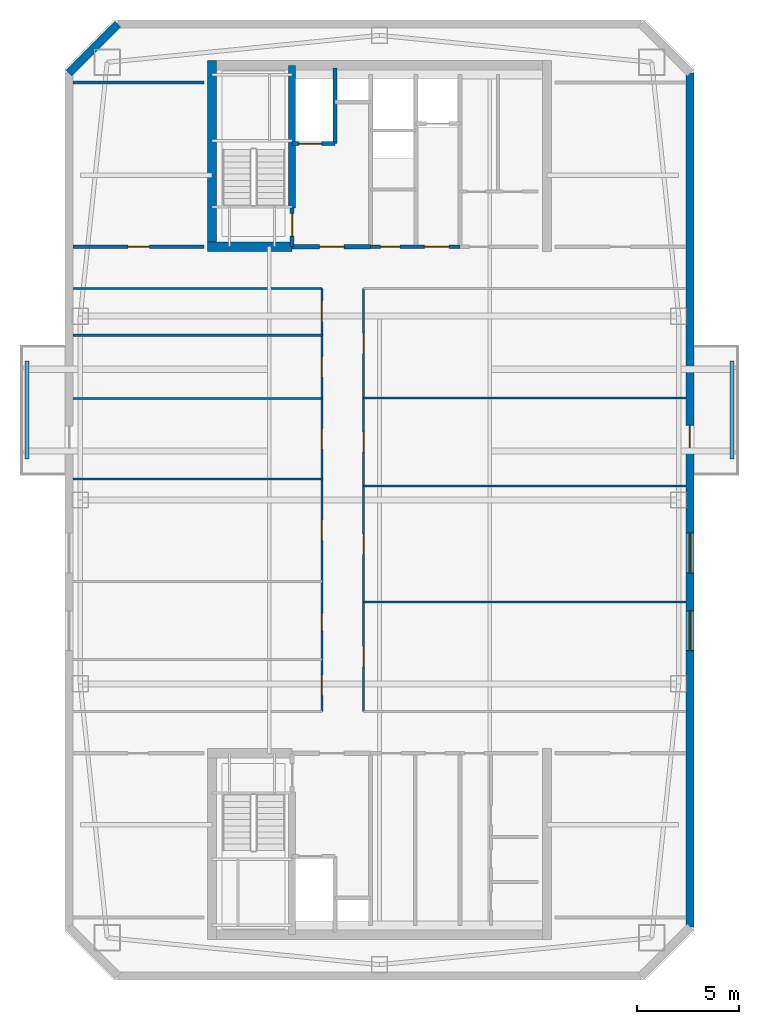
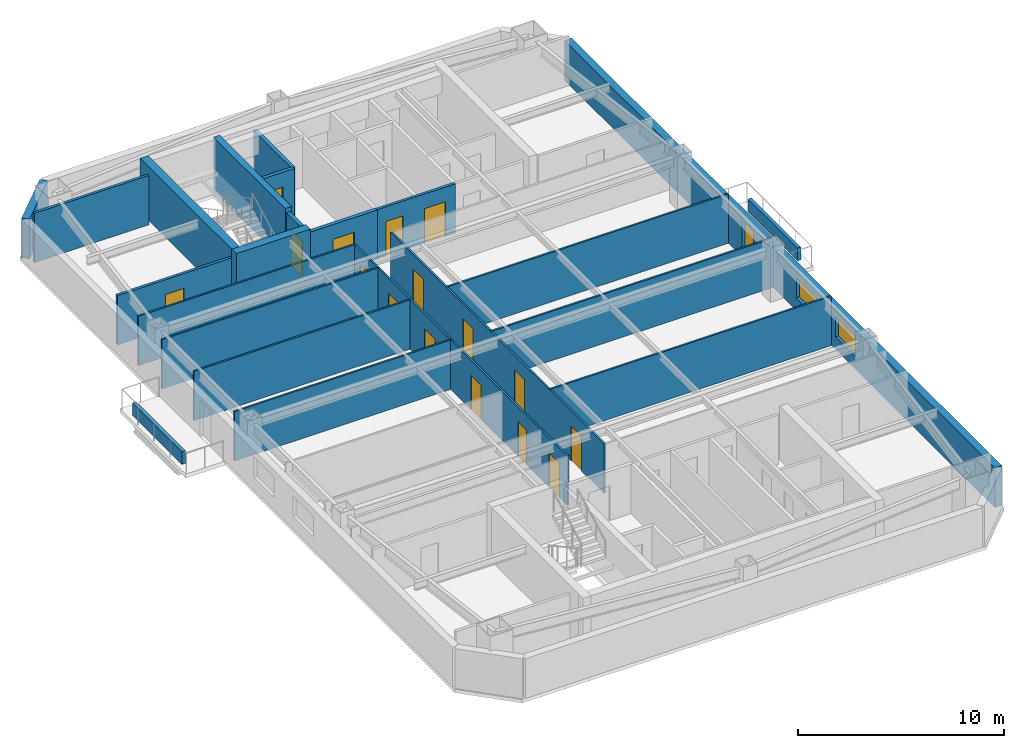
# One storey, part 3 of 6: 23 walls, 17 doors, 2 windows, 19 openings.
"""IFC4 building model written with IfcOpenShell, lengths in metres."""

from ifc_helpers import new_model, si_unit, direction, frame, frame_2d, origin, place, context, subcontext, project, spatial, rectangle, extrude, material, layer, layer_set, type_object, element, fill, save


model = new_model("IFC4")

# Units and contexts
model_context = context("Model", 3, precision=1e-05, world=origin(), true_north=direction((0.0, 1.0)))
body_context = subcontext(model_context, "Body", "Model", "MODEL_VIEW")
ifc_project = project(units=[si_unit("LENGTHUNIT", "METRE"), si_unit("AREAUNIT", "SQUARE_METRE"), si_unit("VOLUMEUNIT", "CUBIC_METRE"), si_unit("PLANEANGLEUNIT", "RADIAN"), si_unit("MASSUNIT", "GRAM", prefix="KILO")], contexts=[model_context])

# Site, building, storey
site_placement = place(None, origin())
site = spatial("IfcSite", under=ifc_project, at=site_placement, CompositionType="ELEMENT")
building_placement = place(site_placement, origin())
building = spatial("IfcBuilding", under=site, at=building_placement, Name="Qiaolan Cultural Towers", CompositionType="ELEMENT")
storey_placement = place(building_placement, frame((0.0, 0.0, 260.0)))
storey = spatial("IfcBuildingStorey", under=building, at=storey_placement, Name="L71", CompositionType="ELEMENT", Elevation=260.0)

# Walls
ifc_material_1 = material(Name="Concrete C50", Category="concrete")
ifc_layer_1 = layer(ifc_material_1, 0.35009765625)
ifc_layer_set_1 = layer_set([ifc_layer_1], Name="Concrete C50")
wall_type_1 = type_object("IfcWallType", Name="WL-CORE-350", PredefinedType="SHEAR", material=ifc_layer_set_1)
wall_1_placement = place(storey_placement, frame((25.719970703125, 48.300048828125, 0.0), z_axis=(0.0, 0.0, 1.0), x_axis=(0.0, 1.0, 0.0)))
element("IfcWall", 1, at=wall_1_placement, inside=storey, type_object=wall_type_1, Name="L71 T1-CN Stair Core Dividing Web", PredefinedType="SHEAR", context=body_context, shape_type="SweptSolid", body=[
    extrude(rectangle(XDim=6.97998046875, YDim=0.35009765625, at=frame_2d((3.489990234375, 0.0))), origin(), (0.0, 0.0, 1.0), 3.199951171875),
])
ifc_material_2 = material(Name="Concrete C50", Category="concrete")
ifc_layer_2 = layer(ifc_material_2, 0.449951171875)
ifc_layer_set_2 = layer_set([ifc_layer_2], Name="Concrete C50")
wall_type_2 = type_object("IfcWallType", Name="WL-CORE-450", PredefinedType="SHEAR", material=ifc_layer_set_2)
wall_2_placement = place(storey_placement, frame((21.800048828125, 46.175048828125, 0.0), z_axis=(0.0, 0.0, 1.0), x_axis=(0.0, 1.0, 0.0)))
element("IfcWall", 2, at=wall_2_placement, inside=storey, type_object=wall_type_2, Name="L71 T1-CN West Core Shear Wall", PredefinedType="SHEAR", context=body_context, shape_type="SweptSolid", body=[
    extrude(rectangle(XDim=9.329833984375, YDim=0.449951171875, at=frame_2d((4.6650390625, 0.0))), origin(), (0.0, 0.0, 1.0), 3.199951171875),
])
wall_3_placement = place(storey_placement, frame((21.574951171875, 46.39990234375, 0.0), z_axis=(0.0, 0.0, 1.0), x_axis=(1.0, 0.0, 0.0)))
element("IfcWall", 3, at=wall_3_placement, inside=storey, type_object=wall_type_2, Name="L71 T1-CN Stair Front Shear Wall", PredefinedType="SHEAR", context=body_context, shape_type="SweptSolid", body=[
    extrude(rectangle(XDim=4.14501953125, YDim=0.449951171875, at=frame_2d((2.072509765625, 0.0))), origin(), (0.0, 0.0, 1.0), 3.199951171875),
])
ifc_material_3 = material(Name="Precast Concrete C50 Honed Stone Pier", Category="masonry")
ifc_layer_3 = layer(ifc_material_3, 0.39990234375)
ifc_layer_set_3 = layer_set([ifc_layer_3], Name="Precast Concrete C50 Honed Stone Pier")
wall_type_3 = type_object("IfcWallType", Name="WL-EXT-PIER-400", PredefinedType="SOLIDWALL", material=ifc_layer_set_3)
wall_4_placement = place(storey_placement, frame((14.800048828125, 54.89990234375, 0.0), z_axis=(0.0, 0.0, 1.0), x_axis=(0.707070815327, 0.707142745217, 0.0)))
element("IfcWall", 4, at=wall_4_placement, inside=storey, type_object=wall_type_3, Name="L71 West Tower Precast Pier Facade Wall F2", PredefinedType="SOLIDWALL", context=body_context, shape_type="SweptSolid", body=[
    extrude(rectangle(XDim=3.39404296875, YDim=0.39990234375, at=frame_2d((1.697021484375, 0.0))), origin(), (0.0, 0.0, 1.0), 2.360107421875),
])

# Wall, openings, door, windows
wall_5_placement = place(storey_placement, frame((45.199951171875, 54.89990234375, 0.0), z_axis=(0.0, 0.0, 1.0), x_axis=(0.0, -1.0, 0.0)))
wall_5 = element("IfcWall", 5, at=wall_5_placement, inside=storey, type_object=wall_type_3, Name="L71 West Tower Precast Pier Facade Wall F5", PredefinedType="SOLIDWALL", context=body_context, shape_type="SweptSolid", body=[
    extrude(rectangle(XDim=41.7998046875, YDim=0.39990234375, at=frame_2d((20.89990234375, 0.0))), origin(), (0.0, 0.0, 1.0), 2.360107421875),
])
opening_1_placement = place(wall_5_placement, frame((26.324951171875, 0.0, 0.75)))
opening_1 = element("IfcOpeningElement", 6, at=opening_1_placement, cuts=wall_5, Name="Opening W-06", PredefinedType="OPENING", context=body_context, shape_type="SweptSolid", body=[
    extrude(rectangle(XDim=1.949951171875, YDim=1.2099609375, at=frame_2d((0.97509765625, 0.60498046875))), frame((0.0, 0.2099609375, 0.0), z_axis=(0.0, -1.0, 0.0), x_axis=(1.0, 0.0, 0.0)), (0.0, 0.0, 1.0), 0.419921875),
])
opening_2_placement = place(wall_5_placement, frame((22.52490234375, 0.0, 0.75)))
opening_2 = element("IfcOpeningElement", 7, at=opening_2_placement, cuts=wall_5, Name="Opening W-06", PredefinedType="OPENING", context=body_context, shape_type="SweptSolid", body=[
    extrude(rectangle(XDim=1.949951171875, YDim=1.2099609375, at=frame_2d((0.97509765625, 0.60498046875))), frame((0.0, 0.2099609375, 0.0), z_axis=(0.0, -1.0, 0.0), x_axis=(1.0, 0.0, 0.0)), (0.0, 0.0, 1.0), 0.419921875),
])
opening_3_placement = place(wall_5_placement, frame((17.25, 0.0, 0.0)))
opening_3 = element("IfcOpeningElement", 8, at=opening_3_placement, cuts=wall_5, Name="Opening BD-01", PredefinedType="OPENING", context=body_context, shape_type="SweptSolid", body=[
    extrude(rectangle(XDim=1.10009765625, YDim=2.14990234375, at=frame_2d((0.550048828125, 1.074951171875))), frame((0.0, 0.2099609375, 0.0), z_axis=(0.0, -1.0, 0.0), x_axis=(1.0, 0.0, 0.0)), (0.0, 0.0, 1.0), 0.419921875),
])
ifc_material_4 = material(Name="Thermally Broken Aluminium Glazed Terrace Door", Category="aluminium")
door_type_1 = type_object("IfcDoorType", Name="DR-BAL-1100", OperationType="NOTDEFINED", PredefinedType="DOOR", material=ifc_material_4)
door_1_placement = place(opening_3_placement, origin())
door_1 = element("IfcDoor", 9, at=door_1_placement, inside=storey, type_object=door_type_1, Name="L71 T1 East Tree Balcony Door", OperationType="SINGLE_SWING_RIGHT", OverallHeight=2.14990234375, OverallWidth=1.10009765625, PredefinedType="DOOR", context=body_context, shape_type="SweptSolid", body=[
    extrude(rectangle(XDim=1.10009765625, YDim=2.14990234375, at=frame_2d((0.550048828125, 1.074951171875))), frame((0.0, 0.02490234375, 0.0), z_axis=(0.0, -1.0, 0.0), x_axis=(1.0, 0.0, 0.0)), (0.0, 0.0, 1.0), 0.050048828125),
])
fill(opening_3, door_1)
ifc_material_5 = material(Name="Thermally Broken Aluminium Triple Low-E Glazing", Category="aluminium")
window_type = type_object("IfcWindowType", Name="WN-CHIC-1950", PartitioningType="SINGLE_PANEL", PredefinedType="WINDOW", material=ifc_material_5)
window_1_placement = place(opening_1_placement, origin())
window_1 = element("IfcWindow", 10, at=window_1_placement, inside=storey, type_object=window_type, Name="L71 T1 E Chicago Bay Window 1", OverallHeight=1.2099609375, OverallWidth=1.949951171875, PartitioningType="TRIPLE_PANEL_VERTICAL", PredefinedType="WINDOW", context=body_context, shape_type="SweptSolid", body=[
    extrude(rectangle(XDim=1.949951171875, YDim=1.2099609375, at=frame_2d((0.97509765625, 0.60498046875))), frame((0.0, 0.030029296875, 0.0), z_axis=(0.0, -1.0, 0.0), x_axis=(1.0, 0.0, 0.0)), (0.0, 0.0, 1.0), 0.06005859375),
])
fill(opening_1, window_1)
window_2_placement = place(opening_2_placement, origin())
window_2 = element("IfcWindow", 11, at=window_2_placement, inside=storey, type_object=window_type, Name="L71 T1 E Chicago Bay Window 2", OverallHeight=1.2099609375, OverallWidth=1.949951171875, PartitioningType="TRIPLE_PANEL_VERTICAL", PredefinedType="WINDOW", context=body_context, shape_type="SweptSolid", body=[
    extrude(rectangle(XDim=1.949951171875, YDim=1.2099609375, at=frame_2d((0.97509765625, 0.60498046875))), frame((0.0, 0.030029296875, 0.0), z_axis=(0.0, -1.0, 0.0), x_axis=(1.0, 0.0, 0.0)), (0.0, 0.0, 1.0), 0.06005859375),
])
fill(opening_2, window_2)

# Wall, opening, door
ifc_material_6 = material(Name="Concrete C35 Fire Wall", Category="concrete")
ifc_layer_4 = layer(ifc_material_6, 0.199951171875)
ifc_layer_set_4 = layer_set([ifc_layer_4], Name="Concrete C35 Fire Wall")
wall_type_4 = type_object("IfcWallType", Name="WL-FIRE-200", PredefinedType="PARTITIONING", material=ifc_layer_set_4)
wall_6_placement = place(storey_placement, frame((25.719970703125, 46.39990234375, 0.0), z_axis=(0.0, 0.0, 1.0), x_axis=(0.0, 1.0, 0.0)))
wall_6 = element("IfcWall", 12, at=wall_6_placement, inside=storey, type_object=wall_type_4, Name="L71 T1-CN Smokeproof Stair Entry Wall", PredefinedType="PARTITIONING", context=body_context, shape_type="SweptSolid", body=[
    extrude(rectangle(XDim=1.900146484375, YDim=0.199951171875, at=frame_2d((0.9501953125, 0.0))), origin(), (0.0, 0.0, 1.0), 2.925048828125),
])
opening_4_placement = place(wall_6_placement, frame((0.52001953125, 0.0, 0.0)))
opening_4 = element("IfcOpeningElement", 13, at=opening_4_placement, cuts=wall_6, Name="Opening FD-04", PredefinedType="OPENING", context=body_context, shape_type="SweptSolid", body=[
    extrude(rectangle(XDim=1.10009765625, YDim=2.050048828125, at=frame_2d((0.550048828125, 1.02490234375))), frame((0.0, 0.10986328125, 0.0), z_axis=(0.0, -1.0, 0.0), x_axis=(1.0, 0.0, 0.0)), (0.0, 0.0, 1.0), 0.219970703125),
])
ifc_material_7 = material(Name="Galvanized Steel Command Fire Door", Category="steel")
door_type_2 = type_object("IfcDoorType", Name="DR-FD90-1100", OperationType="NOTDEFINED", PredefinedType="DOOR", material=ifc_material_7)
door_2_placement = place(opening_4_placement, origin())
door_2 = element("IfcDoor", 14, at=door_2_placement, inside=storey, type_object=door_type_2, Name="L71 ST-W2 Smokeproof Stair Fire Door", OperationType="SINGLE_SWING_LEFT", OverallHeight=2.050048828125, OverallWidth=1.10009765625, PredefinedType="DOOR", context=body_context, shape_type="SweptSolid", body=[
    extrude(rectangle(XDim=1.10009765625, YDim=2.050048828125, at=frame_2d((0.550048828125, 1.02490234375))), frame((0.0, 0.02490234375, 0.0), z_axis=(0.0, -1.0, 0.0), x_axis=(1.0, 0.0, 0.0)), (0.0, 0.0, 1.0), 0.050048828125),
])
fill(opening_4, door_2)

wall_7_placement = place(storey_placement, frame((25.719970703125, 46.39990234375, 0.0), z_axis=(0.0, 0.0, 1.0), x_axis=(1.0, 0.0, 0.0)))
wall_7 = element("IfcWall", 15, at=wall_7_placement, inside=storey, type_object=wall_type_4, Name="L71 T1-CN Firefighting Lobby Front Wall", PredefinedType="PARTITIONING", context=body_context, shape_type="SweptSolid", body=[
    extrude(rectangle(XDim=3.830078125, YDim=0.199951171875, at=frame_2d((1.9150390625, 0.0))), origin(), (0.0, 0.0, 1.0), 2.925048828125),
])
opening_5_placement = place(wall_7_placement, frame((1.35009765625, 0.0, 0.0)))
opening_5 = element("IfcOpeningElement", 16, at=opening_5_placement, cuts=wall_7, Name="Opening FD-03", PredefinedType="OPENING", context=body_context, shape_type="SweptSolid", body=[
    extrude(rectangle(XDim=1.199951171875, YDim=2.050048828125, at=frame_2d((0.60009765625, 1.02490234375))), frame((0.0, 0.10986328125, 0.0), z_axis=(0.0, -1.0, 0.0), x_axis=(1.0, 0.0, 0.0)), (0.0, 0.0, 1.0), 0.219970703125),
])
ifc_material_8 = material(Name="Galvanized Steel Smokeproof Lobby Fire Door", Category="steel")
door_type_3 = type_object("IfcDoorType", Name="DR-FD90-1200", OperationType="NOTDEFINED", PredefinedType="DOOR", material=ifc_material_8)
door_3_placement = place(opening_5_placement, origin())
door_3 = element("IfcDoor", 17, at=door_3_placement, inside=storey, type_object=door_type_3, Name="L71 FFL-W2 Firefighting Lobby Fire Door", OperationType="SINGLE_SWING_LEFT", OverallHeight=2.050048828125, OverallWidth=1.199951171875, PredefinedType="DOOR", context=body_context, shape_type="SweptSolid", body=[
    extrude(rectangle(XDim=1.199951171875, YDim=2.050048828125, at=frame_2d((0.60009765625, 1.02490234375))), frame((0.0, 0.02490234375, 0.0), z_axis=(0.0, -1.0, 0.0), x_axis=(1.0, 0.0, 0.0)), (0.0, 0.0, 1.0), 0.050048828125),
])
fill(opening_5, door_3)

wall_8_placement = place(storey_placement, frame((25.719970703125, 51.449951171875, 0.0), z_axis=(0.0, 0.0, 1.0), x_axis=(1.0, 0.0, 0.0)))
wall_8 = element("IfcWall", 18, at=wall_8_placement, inside=storey, type_object=wall_type_4, Name="L71 T1-CN Firefighting Shaft Front Wall", PredefinedType="PARTITIONING", context=body_context, shape_type="SweptSolid", body=[
    extrude(rectangle(XDim=2.10009765625, YDim=0.199951171875, at=frame_2d((1.050048828125, 0.0))), origin(), (0.0, 0.0, 1.0), 2.925048828125),
])
opening_6_placement = place(wall_8_placement, frame((0.35009765625, 0.0, 0.0)))
opening_6 = element("IfcOpeningElement", 19, at=opening_6_placement, cuts=wall_8, Name="Opening LD-01", PredefinedType="OPENING", context=body_context, shape_type="SweptSolid", body=[
    extrude(rectangle(XDim=1.10009765625, YDim=2.050048828125, at=frame_2d((0.550048828125, 1.02490234375))), frame((0.0, 0.10986328125, 0.0), z_axis=(0.0, -1.0, 0.0), x_axis=(1.0, 0.0, 0.0)), (0.0, 0.0, 1.0), 0.219970703125),
])
ifc_material_9 = material(Name="Brushed Stainless Steel S30408 Centre-Parting Lift Landing Door", Category="steel")
door_type_4 = type_object("IfcDoorType", Name="DR-LIFT-1100", OperationType="NOTDEFINED", PredefinedType="DOOR", material=ifc_material_9)
door_4_placement = place(opening_6_placement, origin())
door_4 = element("IfcDoor", 20, at=door_4_placement, inside=storey, type_object=door_type_4, Name="L71 FFL-W2 Firefighting Lift Landing Door", OperationType="DOUBLE_DOOR_SLIDING", OverallHeight=2.050048828125, OverallWidth=1.10009765625, PredefinedType="DOOR", context=body_context, shape_type="SweptSolid", body=[
    extrude(rectangle(XDim=1.10009765625, YDim=2.050048828125, at=frame_2d((0.550048828125, 1.02490234375))), frame((0.0, 0.02490234375, 0.0), z_axis=(0.0, -1.0, 0.0), x_axis=(1.0, 0.0, 0.0)), (0.0, 0.0, 1.0), 0.050048828125),
])
fill(opening_6, door_4)

# Walls
wall_9_placement = place(storey_placement, frame((27.820068359375, 51.449951171875, 0.0), z_axis=(0.0, 0.0, 1.0), x_axis=(0.0, 1.0, 0.0)))
element("IfcWall", 21, at=wall_9_placement, inside=storey, type_object=wall_type_4, Name="L71 T1-CN Firefighting Hoistway East Wall", PredefinedType="PARTITIONING", context=body_context, shape_type="SweptSolid", body=[
    extrude(rectangle(XDim=3.699951171875, YDim=0.199951171875, at=frame_2d((1.85009765625, 0.0))), origin(), (0.0, 0.0, 1.0), 2.925048828125),
])
ifc_material_10 = material(Name="Acoustic Double-Glazed Partition Frame", Category="glass")
ifc_layer_5 = layer(ifc_material_10, 0.10009765625)
ifc_layer_set_5 = layer_set([ifc_layer_5], Name="Acoustic Double-Glazed Partition Frame")
wall_type_5 = type_object("IfcWallType", Name="WL-GLAZED-100", PredefinedType="MOVABLE", material=ifc_layer_set_5)
wall_10_placement = place(storey_placement, frame((15.0, 44.35009765625, 0.0), z_axis=(0.0, 0.0, 1.0), x_axis=(1.0, 0.0, 0.0)))
element("IfcWall", 22, at=wall_10_placement, inside=storey, type_object=wall_type_5, Name="L71 T1 North Corridor Left Wall", PredefinedType="MOVABLE", context=body_context, shape_type="SweptSolid", body=[
    extrude(rectangle(XDim=12.175048828125, YDim=0.10009765625, at=frame_2d((6.08740234375, 0.0))), origin(), (0.0, 0.0, 1.0), 2.925048828125),
])

# Wall, openings, doors
wall_11_placement = place(storey_placement, frame((27.175048828125, 23.64990234375, 0.0), z_axis=(0.0, 0.0, 1.0), x_axis=(0.0, 1.0, 0.0)))
wall_11 = element("IfcWall", 23, at=wall_11_placement, inside=storey, type_object=wall_type_5, Name="L71 T1 West Spine Wall", PredefinedType="MOVABLE", context=body_context, shape_type="SweptSolid", body=[
    extrude(rectangle(XDim=20.7001953125, YDim=0.10009765625, at=frame_2d((10.35009765625, 0.0))), origin(), (0.0, 0.0, 1.0), 2.925048828125),
])
opening_7_placement = place(wall_11_placement, frame((0.77490234375, 0.0, 0.0)))
opening_7 = element("IfcOpeningElement", 24, at=opening_7_placement, cuts=wall_11, Name="Opening ID-04", PredefinedType="OPENING", context=body_context, shape_type="SweptSolid", body=[
    extrude(rectangle(XDim=1.0, YDim=2.050048828125, at=frame_2d((0.5, 1.02490234375))), frame((0.0, 0.06005859375, 0.0), z_axis=(0.0, -1.0, 0.0), x_axis=(1.0, 0.0, 0.0)), (0.0, 0.0, 1.0), 0.1201171875),
])
opening_8_placement = place(wall_11_placement, frame((3.949951171875, 0.0, 0.0)))
opening_8 = element("IfcOpeningElement", 25, at=opening_8_placement, cuts=wall_11, Name="Opening ID-09", PredefinedType="OPENING", context=body_context, shape_type="SweptSolid", body=[
    extrude(rectangle(XDim=0.85009765625, YDim=2.050048828125, at=frame_2d((0.425048828125, 1.02490234375))), frame((0.0, 0.06005859375, 0.0), z_axis=(0.0, -1.0, 0.0), x_axis=(1.0, 0.0, 0.0)), (0.0, 0.0, 1.0), 0.1201171875),
])
opening_9_placement = place(wall_11_placement, frame((8.364013671875, 0.0, 0.0)))
opening_9 = element("IfcOpeningElement", 26, at=opening_9_placement, cuts=wall_11, Name="Opening ID-04", PredefinedType="OPENING", context=body_context, shape_type="SweptSolid", body=[
    extrude(rectangle(XDim=1.0, YDim=2.050048828125, at=frame_2d((0.5, 1.02490234375))), frame((0.0, 0.06005859375, 0.0), z_axis=(0.0, -1.0, 0.0), x_axis=(1.0, 0.0, 0.0)), (0.0, 0.0, 1.0), 0.1201171875),
])
opening_10_placement = place(wall_11_placement, frame((12.844482421875, 0.0, 0.0)))
opening_10 = element("IfcOpeningElement", 27, at=opening_10_placement, cuts=wall_11, Name="Opening ID-04", PredefinedType="OPENING", context=body_context, shape_type="SweptSolid", body=[
    extrude(rectangle(XDim=1.0, YDim=2.050048828125, at=frame_2d((0.5, 1.02490234375))), frame((0.0, 0.06005859375, 0.0), z_axis=(0.0, -1.0, 0.0), x_axis=(1.0, 0.0, 0.0)), (0.0, 0.0, 1.0), 0.1201171875),
])
opening_11_placement = place(wall_11_placement, frame((16.363525390625, 0.0, 0.0)))
opening_11 = element("IfcOpeningElement", 28, at=opening_11_placement, cuts=wall_11, Name="Opening ID-04", PredefinedType="OPENING", context=body_context, shape_type="SweptSolid", body=[
    extrude(rectangle(XDim=1.0, YDim=2.050048828125, at=frame_2d((0.5, 1.02490234375))), frame((0.0, 0.06005859375, 0.0), z_axis=(0.0, -1.0, 0.0), x_axis=(1.0, 0.0, 0.0)), (0.0, 0.0, 1.0), 0.1201171875),
])
opening_12_placement = place(wall_11_placement, frame((19.05810546875, 0.0, 0.0)))
opening_12 = element("IfcOpeningElement", 29, at=opening_12_placement, cuts=wall_11, Name="Opening ID-07", PredefinedType="OPENING", context=body_context, shape_type="SweptSolid", body=[
    extrude(rectangle(XDim=1.050048828125, YDim=2.050048828125, at=frame_2d((0.52490234375, 1.02490234375))), frame((0.0, 0.06005859375, 0.0), z_axis=(0.0, -1.0, 0.0), x_axis=(1.0, 0.0, 0.0)), (0.0, 0.0, 1.0), 0.1201171875),
])
ifc_material_11 = material(Name="Oak Veneer Acoustic Office Door", Category="timber")
door_type_5 = type_object("IfcDoorType", Name="DR-INT-1000", OperationType="NOTDEFINED", PredefinedType="DOOR", material=ifc_material_11)
door_5_placement = place(opening_7_placement, origin())
door_5 = element("IfcDoor", 30, at=door_5_placement, inside=storey, type_object=door_type_5, Name="L71 T1 Summit Counsel Office Door", OperationType="SINGLE_SWING_LEFT", OverallHeight=2.050048828125, OverallWidth=1.0, PredefinedType="DOOR", context=body_context, shape_type="SweptSolid", body=[
    extrude(rectangle(XDim=1.0, YDim=2.050048828125, at=frame_2d((0.5, 1.02490234375))), frame((0.0, 0.02490234375, 0.0), z_axis=(0.0, -1.0, 0.0), x_axis=(1.0, 0.0, 0.0)), (0.0, 0.0, 1.0), 0.050048828125),
])
fill(opening_7, door_5)
door_6_placement = place(opening_9_placement, origin())
door_6 = element("IfcDoor", 31, at=door_6_placement, inside=storey, type_object=door_type_5, Name="L71 T1 Summit Counsel Office Door", OperationType="SINGLE_SWING_LEFT", OverallHeight=2.050048828125, OverallWidth=1.0, PredefinedType="DOOR", context=body_context, shape_type="SweptSolid", body=[
    extrude(rectangle(XDim=1.0, YDim=2.050048828125, at=frame_2d((0.5, 1.02490234375))), frame((0.0, 0.02490234375, 0.0), z_axis=(0.0, -1.0, 0.0), x_axis=(1.0, 0.0, 0.0)), (0.0, 0.0, 1.0), 0.050048828125),
])
fill(opening_9, door_6)
door_7_placement = place(opening_10_placement, origin())
door_7 = element("IfcDoor", 32, at=door_7_placement, inside=storey, type_object=door_type_5, Name="L71 T1 Summit Counsel Office Door", OperationType="SINGLE_SWING_RIGHT", OverallHeight=2.050048828125, OverallWidth=1.0, PredefinedType="DOOR", context=body_context, shape_type="SweptSolid", body=[
    extrude(rectangle(XDim=1.0, YDim=2.050048828125, at=frame_2d((0.5, 1.02490234375))), frame((0.0, 0.02490234375, 0.0), z_axis=(0.0, -1.0, 0.0), x_axis=(1.0, 0.0, 0.0)), (0.0, 0.0, 1.0), 0.050048828125),
])
fill(opening_10, door_7)
door_8_placement = place(opening_11_placement, origin())
door_8 = element("IfcDoor", 33, at=door_8_placement, inside=storey, type_object=door_type_5, Name="L71 T1 Wellness Room Door", OperationType="SINGLE_SWING_LEFT", OverallHeight=2.050048828125, OverallWidth=1.0, PredefinedType="DOOR", context=body_context, shape_type="SweptSolid", body=[
    extrude(rectangle(XDim=1.0, YDim=2.050048828125, at=frame_2d((0.5, 1.02490234375))), frame((0.0, 0.02490234375, 0.0), z_axis=(0.0, -1.0, 0.0), x_axis=(1.0, 0.0, 0.0)), (0.0, 0.0, 1.0), 0.050048828125),
])
fill(opening_11, door_8)
ifc_material_12 = material(Name="Oak Veneer Consultation Door", Category="timber")
door_type_6 = type_object("IfcDoorType", Name="DR-INT-1050", OperationType="NOTDEFINED", PredefinedType="DOOR", material=ifc_material_12)
door_9_placement = place(opening_12_placement, origin())
door_9 = element("IfcDoor", 34, at=door_9_placement, inside=storey, type_object=door_type_6, Name="L71 T1 Tea Pantry Door", OperationType="SINGLE_SWING_RIGHT", OverallHeight=2.050048828125, OverallWidth=1.050048828125, PredefinedType="DOOR", context=body_context, shape_type="SweptSolid", body=[
    extrude(rectangle(XDim=1.050048828125, YDim=2.050048828125, at=frame_2d((0.52490234375, 1.02490234375))), frame((0.0, 0.02490234375, 0.0), z_axis=(0.0, -1.0, 0.0), x_axis=(1.0, 0.0, 0.0)), (0.0, 0.0, 1.0), 0.050048828125),
])
fill(opening_12, door_9)
ifc_material_13 = material(Name="Moisture-Resistant Laminate Utility Door", Category="timber")
door_type_7 = type_object("IfcDoorType", Name="DR-INT-850", OperationType="NOTDEFINED", PredefinedType="DOOR", material=ifc_material_13)
door_10_placement = place(opening_8_placement, origin())
door_10 = element("IfcDoor", 35, at=door_10_placement, inside=storey, type_object=door_type_7, Name="L71 T1 Summit Counsel Office Door", OperationType="SINGLE_SWING_RIGHT", OverallHeight=2.050048828125, OverallWidth=0.85009765625, PredefinedType="DOOR", context=body_context, shape_type="SweptSolid", body=[
    extrude(rectangle(XDim=0.85009765625, YDim=2.050048828125, at=frame_2d((0.425048828125, 1.02490234375))), frame((0.0, 0.02490234375, 0.0), z_axis=(0.0, -1.0, 0.0), x_axis=(1.0, 0.0, 0.0)), (0.0, 0.0, 1.0), 0.050048828125),
])
fill(opening_8, door_10)

wall_12_placement = place(storey_placement, frame((29.22509765625, 23.64990234375, 0.0), z_axis=(0.0, 0.0, 1.0), x_axis=(0.0, 1.0, 0.0)))
wall_12 = element("IfcWall", 36, at=wall_12_placement, inside=storey, type_object=wall_type_5, Name="L71 T1 East Spine Wall", PredefinedType="MOVABLE", context=body_context, shape_type="SweptSolid", body=[
    extrude(rectangle(XDim=20.7001953125, YDim=0.10009765625, at=frame_2d((10.35009765625, 0.0))), origin(), (0.0, 0.0, 1.0), 2.925048828125),
])
opening_13_placement = place(wall_12_placement, frame((2.175048828125, 0.0, 0.0)))
opening_13 = element("IfcOpeningElement", 37, at=opening_13_placement, cuts=wall_12, Name="Opening ID-04", PredefinedType="OPENING", context=body_context, shape_type="SweptSolid", body=[
    extrude(rectangle(XDim=1.0, YDim=2.050048828125, at=frame_2d((0.5, 1.02490234375))), frame((0.0, 0.06005859375, 0.0), z_axis=(0.0, -1.0, 0.0), x_axis=(1.0, 0.0, 0.0)), (0.0, 0.0, 1.0), 0.1201171875),
])
opening_14_placement = place(wall_12_placement, frame((7.68994140625, 0.0, 0.0)))
opening_14 = element("IfcOpeningElement", 38, at=opening_14_placement, cuts=wall_12, Name="Opening ID-04", PredefinedType="OPENING", context=body_context, shape_type="SweptSolid", body=[
    extrude(rectangle(XDim=1.0, YDim=2.050048828125, at=frame_2d((0.5, 1.02490234375))), frame((0.0, 0.06005859375, 0.0), z_axis=(0.0, -1.0, 0.0), x_axis=(1.0, 0.0, 0.0)), (0.0, 0.0, 1.0), 0.1201171875),
])
opening_15_placement = place(wall_12_placement, frame((12.68994140625, 0.0, 0.0)))
opening_15 = element("IfcOpeningElement", 39, at=opening_15_placement, cuts=wall_12, Name="Opening ID-04", PredefinedType="OPENING", context=body_context, shape_type="SweptSolid", body=[
    extrude(rectangle(XDim=1.0, YDim=2.050048828125, at=frame_2d((0.5, 1.02490234375))), frame((0.0, 0.06005859375, 0.0), z_axis=(0.0, -1.0, 0.0), x_axis=(1.0, 0.0, 0.0)), (0.0, 0.0, 1.0), 0.1201171875),
])
opening_16_placement = place(wall_12_placement, frame((17.52490234375, 0.0, 0.0)))
opening_16 = element("IfcOpeningElement", 40, at=opening_16_placement, cuts=wall_12, Name="Opening ID-04", PredefinedType="OPENING", context=body_context, shape_type="SweptSolid", body=[
    extrude(rectangle(XDim=1.0, YDim=2.050048828125, at=frame_2d((0.5, 1.02490234375))), frame((0.0, 0.06005859375, 0.0), z_axis=(0.0, -1.0, 0.0), x_axis=(1.0, 0.0, 0.0)), (0.0, 0.0, 1.0), 0.1201171875),
])
door_11_placement = place(opening_13_placement, origin())
door_11 = element("IfcDoor", 41, at=door_11_placement, inside=storey, type_object=door_type_5, Name="L71 T1 Crown Archival Study Door", OperationType="SINGLE_SWING_RIGHT", OverallHeight=2.050048828125, OverallWidth=1.0, PredefinedType="DOOR", context=body_context, shape_type="SweptSolid", body=[
    extrude(rectangle(XDim=1.0, YDim=2.050048828125, at=frame_2d((0.5, 1.02490234375))), frame((0.0, 0.02490234375, 0.0), z_axis=(0.0, -1.0, 0.0), x_axis=(1.0, 0.0, 0.0)), (0.0, 0.0, 1.0), 0.050048828125),
])
fill(opening_13, door_11)
door_12_placement = place(opening_14_placement, origin())
door_12 = element("IfcDoor", 42, at=door_12_placement, inside=storey, type_object=door_type_5, Name="L71 T1 Crown Archival Study Door", OperationType="SINGLE_SWING_LEFT", OverallHeight=2.050048828125, OverallWidth=1.0, PredefinedType="DOOR", context=body_context, shape_type="SweptSolid", body=[
    extrude(rectangle(XDim=1.0, YDim=2.050048828125, at=frame_2d((0.5, 1.02490234375))), frame((0.0, 0.02490234375, 0.0), z_axis=(0.0, -1.0, 0.0), x_axis=(1.0, 0.0, 0.0)), (0.0, 0.0, 1.0), 0.050048828125),
])
fill(opening_14, door_12)
door_13_placement = place(opening_15_placement, origin())
door_13 = element("IfcDoor", 43, at=door_13_placement, inside=storey, type_object=door_type_5, Name="L71 T1 Edition Book Counter Door", OperationType="SINGLE_SWING_RIGHT", OverallHeight=2.050048828125, OverallWidth=1.0, PredefinedType="DOOR", context=body_context, shape_type="SweptSolid", body=[
    extrude(rectangle(XDim=1.0, YDim=2.050048828125, at=frame_2d((0.5, 1.02490234375))), frame((0.0, 0.02490234375, 0.0), z_axis=(0.0, -1.0, 0.0), x_axis=(1.0, 0.0, 0.0)), (0.0, 0.0, 1.0), 0.050048828125),
])
fill(opening_15, door_13)
door_14_placement = place(opening_16_placement, origin())
door_14 = element("IfcDoor", 44, at=door_14_placement, inside=storey, type_object=door_type_5, Name="L71 T1 Sky Lounge Door", OperationType="SINGLE_SWING_LEFT", OverallHeight=2.050048828125, OverallWidth=1.0, PredefinedType="DOOR", context=body_context, shape_type="SweptSolid", body=[
    extrude(rectangle(XDim=1.0, YDim=2.050048828125, at=frame_2d((0.5, 1.02490234375))), frame((0.0, 0.02490234375, 0.0), z_axis=(0.0, -1.0, 0.0), x_axis=(1.0, 0.0, 0.0)), (0.0, 0.0, 1.0), 0.050048828125),
])
fill(opening_16, door_14)

# Walls
for number, where, z_axis, x_axis, name in (
    (45, (15.0, 35.028076171875, 0.0), (0.0, 0.0, 1.0), (1.0, 0.0, 0.0), "L71 T1 West Partition 3"),
    (46, (15.0, 38.9609375, 0.0), (0.0, 0.0, 1.0), (1.0, 0.0, 0.0), "L71 T1 West Partition 4"),
    (47, (15.0, 42.06591796875, 0.0), (0.0, 0.0, 1.0), (1.0, 0.0, 0.0), "L71 T1 West Partition 5"),
):
    element("IfcWall", number, at=place(storey_placement, frame(where, z_axis=z_axis, x_axis=x_axis)), inside=storey, type_object=wall_type_5, Name=name, PredefinedType="MOVABLE", context=body_context, shape_type="SweptSolid", body=[
        extrude(rectangle(XDim=12.175048828125, YDim=0.10009765625, at=frame_2d((6.08740234375, 0.0))), origin(), (0.0, 0.0, 1.0), 2.925048828125),
    ])
for number, where, z_axis, x_axis, name in (
    (48, (29.22509765625, 29.0, 0.0), (0.0, 0.0, 1.0), (1.0, 0.0, 0.0), "L71 T1 East Partition 1"),
    (49, (29.22509765625, 34.679931640625, 0.0), (0.0, 0.0, 1.0), (1.0, 0.0, 0.0), "L71 T1 East Partition 2"),
    (50, (29.22509765625, 39.0, 0.0), (0.0, 0.0, 1.0), (1.0, 0.0, 0.0), "L71 T1 East Partition 3"),
):
    element("IfcWall", number, at=place(storey_placement, frame(where, z_axis=z_axis, x_axis=x_axis)), inside=storey, type_object=wall_type_5, Name=name, PredefinedType="MOVABLE", context=body_context, shape_type="SweptSolid", body=[
        extrude(rectangle(XDim=15.77490234375, YDim=0.10009765625, at=frame_2d((7.887451171875, 0.0))), origin(), (0.0, 0.0, 1.0), 2.925048828125),
    ])

# Wall, openings, doors
ifc_material_14 = material(Name="Autoclaved Aerated Concrete Block B06", Category="concrete")
ifc_layer_6 = layer(ifc_material_14, 0.14990234375)
ifc_layer_set_6 = layer_set([ifc_layer_6], Name="Autoclaved Aerated Concrete Block B06")
wall_type_6 = type_object("IfcWallType", Name="WL-PART-150", PredefinedType="PARTITIONING", material=ifc_layer_set_6)
wall_13_placement = place(storey_placement, frame((29.550048828125, 46.39990234375, 0.0), z_axis=(0.0, 0.0, 1.0), x_axis=(1.0, 0.0, 0.0)))
wall_13 = element("IfcWall", 51, at=wall_13_placement, inside=storey, type_object=wall_type_6, Name="L71 T1-CN High-Zone Lift Lobby Wall", PredefinedType="PARTITIONING", context=body_context, shape_type="SweptSolid", body=[
    extrude(rectangle(XDim=4.39990234375, YDim=0.14990234375, at=frame_2d((2.199951171875, 0.0))), origin(), (0.0, 0.0, 1.0), 2.925048828125),
])
opening_17_placement = place(wall_13_placement, frame((0.5, 0.0, 0.0)))
opening_17 = element("IfcOpeningElement", 52, at=opening_17_placement, cuts=wall_13, Name="Opening ID-05", PredefinedType="OPENING", context=body_context, shape_type="SweptSolid", body=[
    extrude(rectangle(XDim=0.949951171875, YDim=2.050048828125, at=frame_2d((0.47509765625, 1.02490234375))), frame((0.0, 0.0849609375, 0.0), z_axis=(0.0, -1.0, 0.0), x_axis=(1.0, 0.0, 0.0)), (0.0, 0.0, 1.0), 0.169921875),
])
opening_18_placement = place(wall_13_placement, frame((2.64990234375, 0.0, 0.0)))
opening_18 = element("IfcOpeningElement", 53, at=opening_18_placement, cuts=wall_13, Name="Opening FD-06", PredefinedType="OPENING", context=body_context, shape_type="SweptSolid", body=[
    extrude(rectangle(XDim=1.199951171875, YDim=2.050048828125, at=frame_2d((0.60009765625, 1.02490234375))), frame((0.0, 0.0849609375, 0.0), z_axis=(0.0, -1.0, 0.0), x_axis=(1.0, 0.0, 0.0)), (0.0, 0.0, 1.0), 0.169921875),
])
ifc_material_15 = material(Name="Painted Steel Plant Fire Door", Category="steel")
door_type_8 = type_object("IfcDoorType", Name="DR-FD60-1200", OperationType="NOTDEFINED", PredefinedType="DOOR", material=ifc_material_15)
door_15_placement = place(opening_18_placement, origin())
door_15 = element("IfcDoor", 54, at=door_15_placement, inside=storey, type_object=door_type_8, Name="L71 Sky Shuttle Lift Lobby Door", OperationType="SINGLE_SWING_RIGHT", OverallHeight=2.050048828125, OverallWidth=1.199951171875, PredefinedType="DOOR", context=body_context, shape_type="SweptSolid", body=[
    extrude(rectangle(XDim=1.199951171875, YDim=2.050048828125, at=frame_2d((0.60009765625, 1.02490234375))), frame((0.0, 0.02490234375, 0.0), z_axis=(0.0, -1.0, 0.0), x_axis=(1.0, 0.0, 0.0)), (0.0, 0.0, 1.0), 0.050048828125),
])
fill(opening_18, door_15)
ifc_material_16 = material(Name="Fire-Rated Laminate Accessible Core Door", Category="timber")
door_type_9 = type_object("IfcDoorType", Name="DR-INT-950", OperationType="NOTDEFINED", PredefinedType="DOOR", material=ifc_material_16)
door_16_placement = place(opening_17_placement, origin())
door_16 = element("IfcDoor", 55, at=door_16_placement, inside=storey, type_object=door_type_9, Name="L71 Reclaimed Server Room Door", OperationType="SINGLE_SWING_LEFT", OverallHeight=2.050048828125, OverallWidth=0.949951171875, PredefinedType="DOOR", context=body_context, shape_type="SweptSolid", body=[
    extrude(rectangle(XDim=0.949951171875, YDim=2.050048828125, at=frame_2d((0.47509765625, 1.02490234375))), frame((0.0, 0.02490234375, 0.0), z_axis=(0.0, -1.0, 0.0), x_axis=(1.0, 0.0, 0.0)), (0.0, 0.0, 1.0), 0.050048828125),
])
fill(opening_17, door_16)

# Wall
wall_14_placement = place(storey_placement, frame((15.0, 54.449951171875, 0.0), z_axis=(0.0, 0.0, 1.0), x_axis=(1.0, 0.0, 0.0)))
element("IfcWall", 56, at=wall_14_placement, inside=storey, type_object=wall_type_6, Name="L71 T1 Flank Wall FLK-NW", PredefinedType="PARTITIONING", context=body_context, shape_type="SweptSolid", body=[
    extrude(rectangle(XDim=6.39990234375, YDim=0.14990234375, at=frame_2d((3.199951171875, 0.0))), origin(), (0.0, 0.0, 1.0), 2.925048828125),
])

# Wall, opening, door
wall_15_placement = place(storey_placement, frame((15.0, 46.39990234375, 0.0), z_axis=(0.0, 0.0, 1.0), x_axis=(1.0, 0.0, 0.0)))
wall_15 = element("IfcWall", 57, at=wall_15_placement, inside=storey, type_object=wall_type_6, Name="L71 T1 Flank Front FLK-NW", PredefinedType="PARTITIONING", context=body_context, shape_type="SweptSolid", body=[
    extrude(rectangle(XDim=6.39990234375, YDim=0.14990234375, at=frame_2d((3.199951171875, 0.0))), origin(), (0.0, 0.0, 1.0), 2.925048828125),
])
opening_19_placement = place(wall_15_placement, frame((2.68798828125, 0.0, 0.0)))
opening_19 = element("IfcOpeningElement", 58, at=opening_19_placement, cuts=wall_15, Name="Opening ID-07", PredefinedType="OPENING", context=body_context, shape_type="SweptSolid", body=[
    extrude(rectangle(XDim=1.050048828125, YDim=2.050048828125, at=frame_2d((0.52490234375, 1.02490234375))), frame((0.0, 0.0849609375, 0.0), z_axis=(0.0, -1.0, 0.0), x_axis=(1.0, 0.0, 0.0)), (0.0, 0.0, 1.0), 0.169921875),
])
door_17_placement = place(opening_19_placement, origin())
door_17 = element("IfcDoor", 59, at=door_17_placement, inside=storey, type_object=door_type_6, Name="L71 T1 Corner Studio Door", OperationType="SINGLE_SWING_LEFT", OverallHeight=2.050048828125, OverallWidth=1.050048828125, PredefinedType="DOOR", context=body_context, shape_type="SweptSolid", body=[
    extrude(rectangle(XDim=1.050048828125, YDim=2.050048828125, at=frame_2d((0.52490234375, 1.02490234375))), frame((0.0, 0.02490234375, 0.0), z_axis=(0.0, -1.0, 0.0), x_axis=(1.0, 0.0, 0.0)), (0.0, 0.0, 1.0), 0.050048828125),
])
fill(opening_19, door_17)

# Walls
ifc_material_17 = material(Name="Precast Concrete C45 Tree Planter Upstand", Category="concrete")
ifc_layer_7 = layer(ifc_material_17, 0.199951171875)
ifc_layer_set_7 = layer_set([ifc_layer_7], Name="Precast Concrete C45 Tree Planter Upstand")
wall_type_7 = type_object("IfcWallType", Name="WL-PLANTER-200", PredefinedType="PARAPET", material=ifc_layer_set_7)
for number, where, z_axis, x_axis, name in (
    (60, (12.75, 36.0, 0.0), (0.0, 0.0, 1.0), (0.0, 1.0, 0.0), "L71 T1 Tree Balcony Soil Planter Box W"),
    (61, (47.25, 36.0, 0.0), (0.0, 0.0, 1.0), (0.0, 1.0, 0.0), "L71 T1 Tree Balcony Soil Planter Box E"),
):
    element("IfcWall", number, at=place(storey_placement, frame(where, z_axis=z_axis, x_axis=x_axis)), inside=storey, type_object=wall_type_7, Name=name, PredefinedType="PARAPET", context=body_context, shape_type="SweptSolid", body=[
        extrude(rectangle(XDim=4.800048828125, YDim=0.199951171875, at=frame_2d((2.39990234375, 0.0))), origin(), (0.0, 0.0, 1.0), 0.75),
    ])

save(model, "model.ifc")
